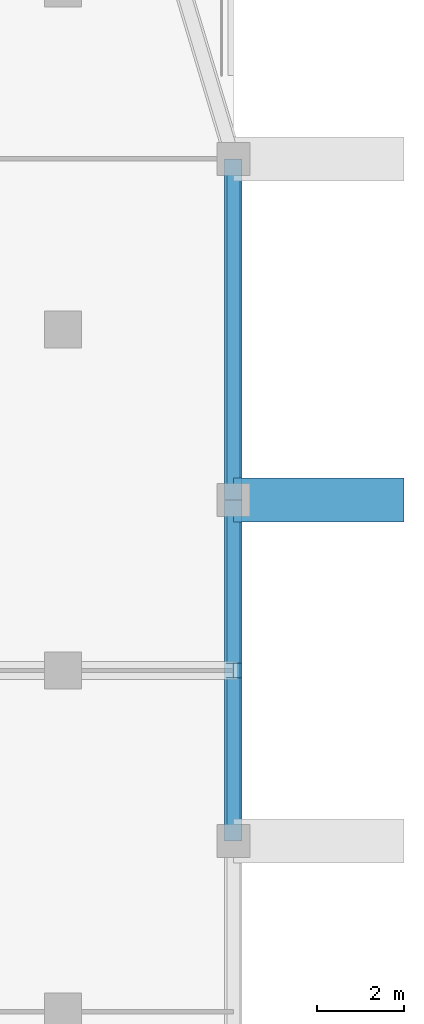
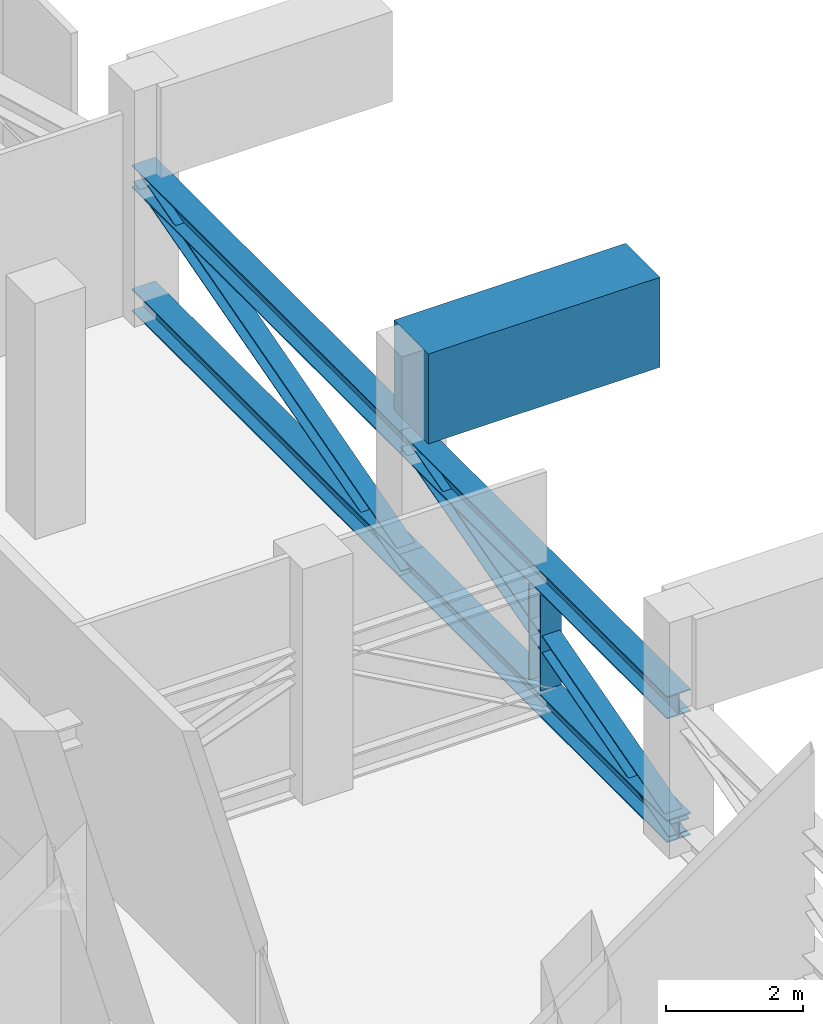
# One storey, part 4 of 13: 7 members, 1 beam.
"""IFC4 building model written with IfcOpenShell, lengths in metres."""

from ifc_helpers import new_model, si_unit, direction, frame, origin, origin_2d, place, context, subcontext, project, spatial, rectangle, i_section, extrude, material, material_profile, profile_set, type_object, element, save


model = new_model("IFC4")

# Units and contexts
model_context = context("Model", 3, precision=1e-05, world=origin(), true_north=direction((0.0, 1.0)))
body_context = subcontext(model_context, "Body", "Model", "MODEL_VIEW")
ifc_project = project(units=[si_unit("LENGTHUNIT", "METRE"), si_unit("AREAUNIT", "SQUARE_METRE"), si_unit("VOLUMEUNIT", "CUBIC_METRE"), si_unit("PLANEANGLEUNIT", "RADIAN"), si_unit("MASSUNIT", "GRAM", prefix="KILO")], contexts=[model_context])

# Site, building, storey
site_placement = place(None, origin())
site = spatial("IfcSite", under=ifc_project, at=site_placement, CompositionType="ELEMENT")
building_placement = place(site_placement, origin())
building = spatial("IfcBuilding", under=site, at=building_placement, Name="Ludao Terraces", CompositionType="ELEMENT")
storey_placement = place(building_placement, frame((0.0, 0.0, 192.800048828125)))
storey = spatial("IfcBuildingStorey", under=building, at=storey_placement, Name="L52", CompositionType="ELEMENT", Elevation=192.800048828125)

# Members
ifc_material_1 = material(Name="Steel Q355", Category="steel")
ifc_material_profile_1 = material_profile(ifc_material_1, i_section(OverallWidth=0.39990234375, OverallDepth=0.39990234375, WebThickness=0.012939453125, FlangeThickness=0.02099609375, at=origin_2d()), Name="HW 400X400X13X21")
ifc_profile_set_1 = profile_set([ifc_material_profile_1], Name="Steel Q355")
member_type_1 = type_object("IfcMemberType", Name="Belt truss chord HW 400x400x13x21 Q355", PredefinedType="CHORD", material=ifc_profile_set_1)
for number, where, z_axis, x_axis, name in (
    (1, (104.5, 61.10009765625, 2.39990234375), (0.0, 1.0, 0.0), (-1.0, 0.0, 0.0), "Truss chord L52 BT15T1"),
    (2, (104.5, 61.10009765625, 0.199951171875), (0.0, 1.0, 0.0), (-1.0, 0.0, 0.0), "Truss chord L52 BT15B1"),
):
    element("IfcMember", number, at=place(storey_placement, frame(where, z_axis=z_axis, x_axis=x_axis)), inside=storey, type_object=member_type_1, Name=name, PredefinedType="CHORD", context=body_context, shape_type="SweptSolid", body=[
        extrude(i_section(OverallWidth=0.39990234375, OverallDepth=0.39990234375, WebThickness=0.012939453125, FlangeThickness=0.02099609375, at=origin_2d()), origin(), (0.0, 0.0, 1.0), 7.7998046875),
    ])
for number, where, z_axis, x_axis, name in (
    (3, (104.5, 68.89990234375, 2.39990234375), (0.0, 1.0, 0.0), (-1.0, 0.0, 0.0), "Truss chord L52 BT16T1"),
    (4, (104.5, 68.89990234375, 0.199951171875), (0.0, 1.0, 0.0), (-1.0, 0.0, 0.0), "Truss chord L52 BT16B1"),
):
    element("IfcMember", number, at=place(storey_placement, frame(where, z_axis=z_axis, x_axis=x_axis)), inside=storey, type_object=member_type_1, Name=name, PredefinedType="CHORD", context=body_context, shape_type="SweptSolid", body=[
        extrude(i_section(OverallWidth=0.39990234375, OverallDepth=0.39990234375, WebThickness=0.012939453125, FlangeThickness=0.02099609375, at=origin_2d()), origin(), (0.0, 0.0, 1.0), 7.800048828125),
    ])
ifc_material_profile_2 = material_profile(ifc_material_1, i_section(OverallWidth=0.300048828125, OverallDepth=0.300048828125, WebThickness=0.010009765625, FlangeThickness=0.014892578125, at=origin_2d()), Name="HW 300X300X10X15")
ifc_profile_set_2 = profile_set([ifc_material_profile_2], Name="Steel Q355")
member_type_2 = type_object("IfcMemberType", Name="Belt truss diagonal HW 300x300x10x15 Q355", PredefinedType="BRACE", material=ifc_profile_set_2)
member_1_placement = place(storey_placement, frame((104.5, 61.10009765625, 0.199951171875), z_axis=(0.0, 0.962449474171, 0.271460880548), x_axis=(-1.0, 0.0, 0.0)))
element("IfcMember", 5, at=member_1_placement, inside=storey, type_object=member_type_2, Name="Truss diagonal L52 BT151", PredefinedType="BRACE", context=body_context, shape_type="SweptSolid", body=[
    extrude(i_section(OverallWidth=0.300048828125, OverallDepth=0.300048828125, WebThickness=0.010009765625, FlangeThickness=0.014892578125, at=origin_2d()), origin(), (0.0, 0.0, 1.0), 8.10400390625),
])
member_2_placement = place(storey_placement, frame((104.5, 68.89990234375, 0.199951171875), z_axis=(0.0, 0.962451694053, 0.271453009957), x_axis=(-1.0, 0.0, 0.0)))
element("IfcMember", 6, at=member_2_placement, inside=storey, type_object=member_type_2, Name="Truss diagonal L52 BT161", PredefinedType="BRACE", context=body_context, shape_type="SweptSolid", body=[
    extrude(i_section(OverallWidth=0.300048828125, OverallDepth=0.300048828125, WebThickness=0.010009765625, FlangeThickness=0.014892578125, at=origin_2d()), origin(), (0.0, 0.0, 1.0), 8.104248046875),
])
ifc_material_profile_3 = material_profile(ifc_material_1, i_section(OverallWidth=0.35009765625, OverallDepth=0.35009765625, WebThickness=0.011962890625, FlangeThickness=0.01904296875, at=origin_2d()), Name="HW 350X350X12X19")
ifc_profile_set_3 = profile_set([ifc_material_profile_3], Name="Steel Q355")
member_type_3 = type_object("IfcMemberType", Name="Outrigger post HW 350x350x12x19 Q355", PredefinedType="POST", material=ifc_profile_set_3)
member_3_placement = place(storey_placement, frame((104.5, 65.0, 0.427978515625), z_axis=(0.0, 0.0, 1.0), x_axis=(1.0, 0.0, 0.0)))
element("IfcMember", 7, at=member_3_placement, inside=storey, type_object=member_type_3, Name="Truss post L52 ORE3", PredefinedType="POST", context=body_context, shape_type="SweptSolid", body=[
    extrude(i_section(OverallWidth=0.35009765625, OverallDepth=0.35009765625, WebThickness=0.011962890625, FlangeThickness=0.01904296875, at=origin_2d()), origin(), (0.0, 0.0, 1.0), 1.743896484375),
])

# Beam
ifc_material_2 = material(Name="Concrete C60", Category="concrete")
ifc_material_profile_4 = material_profile(ifc_material_2, rectangle(XDim=1.0, YDim=1.60009765625, at=origin_2d()), Name="1000 X 1600")
ifc_profile_set_4 = profile_set([ifc_material_profile_4], Name="Concrete C60")
beam_type = type_object("IfcBeamType", Name="RC beam 1000x1600 C60", PredefinedType="BEAM", material=ifc_profile_set_4)
beam_placement = place(storey_placement, frame((108.39990234375, 68.89990234375, 3.39990234375), z_axis=(-1.0, 0.0, 0.0), x_axis=(0.0, -1.0, 0.0)))
element("IfcBeam", 8, at=beam_placement, inside=storey, type_object=beam_type, Name="Transfer girder L52 corbel 13", PredefinedType="BEAM", context=body_context, shape_type="SweptSolid", body=[
    extrude(rectangle(XDim=1.0, YDim=1.60009765625, at=origin_2d()), origin(), (0.0, 0.0, 1.0), 3.89990234375),
])

save(model, "model.ifc")
